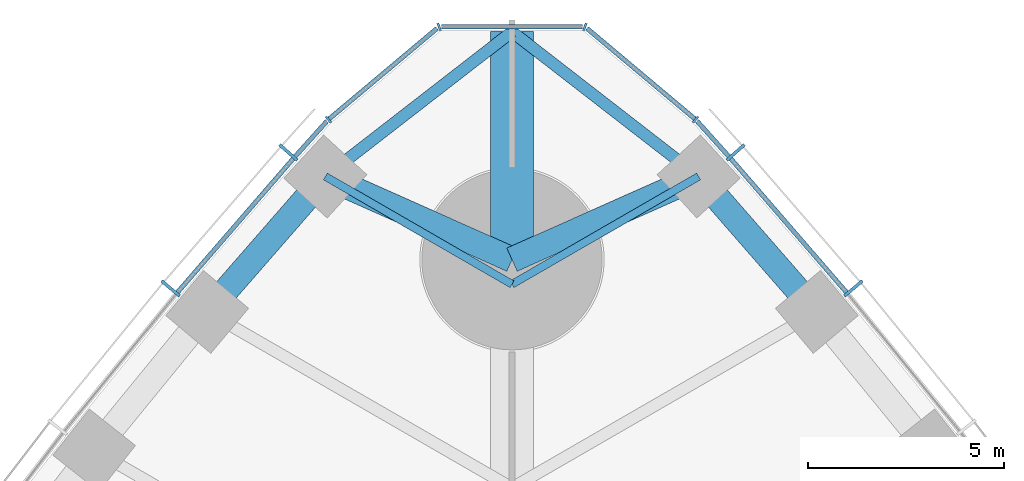
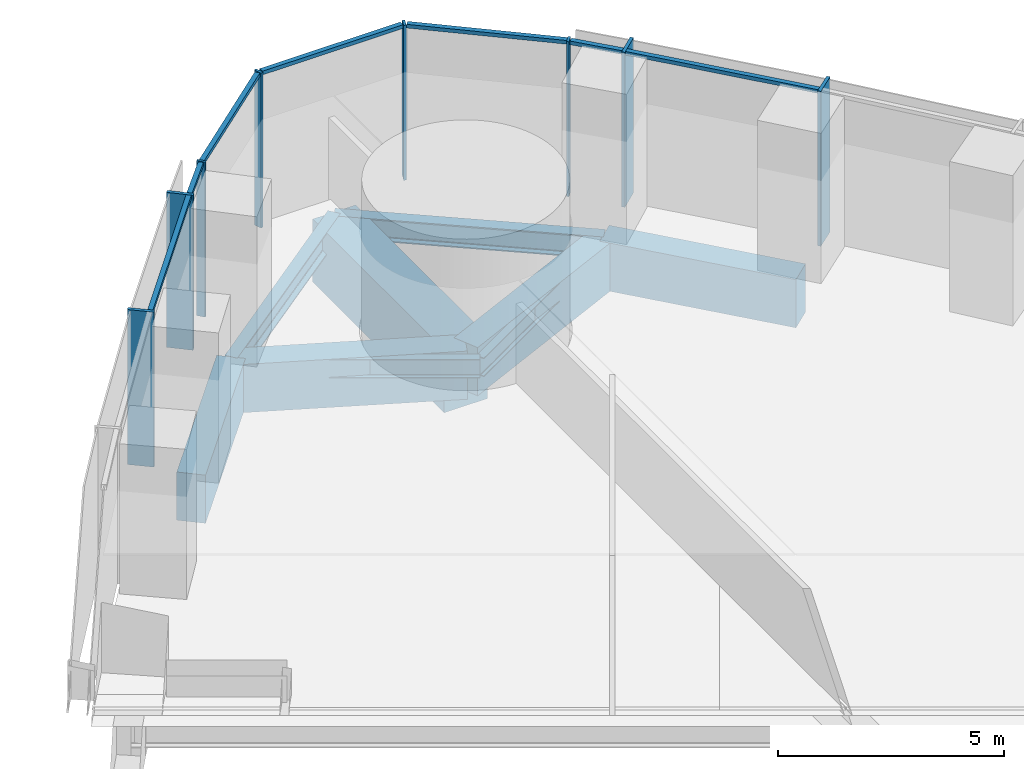
# One storey, part 7 of 18: 15 members, 9 beams, 3 elements without a shape of their own.
"""IFC4 building model written with IfcOpenShell, lengths in metres."""

import ifcopenshell
import ifcopenshell.guid

model = None  # the IFC model being written
_history = None  # IfcOwnerHistory: only IFC2X3 demands one
_inside = {}  # id of a spatial element -> (the spatial element, [elements in it])
_under = {}  # id of a project, library or spatial element -> (it, [spatial elements below it])
_declared = {}  # id of a project -> (the project, [libraries it declares])
_typed = {}  # id of a type object -> (the type object, [elements of that type])
_made_of = {}  # id of a material, layer set ... -> (it, [elements and type objects made of it])


def new_model(schema):
    """Start an empty IFC model of exactly this schema.

    Asked for "IFC4X3", IfcOpenShell would pick the latest addendum, in which some entities
    have other attributes; the version numbers below select the first issue.
    IFC2X3 requires an IfcOwnerHistory on every rooted entity: one is made here for all.
    """
    global model, _history
    if schema == "IFC4X3":
        model = ifcopenshell.file(schema_version=(4, 3, 0, 0))
    else:
        model = ifcopenshell.file(schema=schema)
    _inside.clear()
    _under.clear()
    _declared.clear()
    _typed.clear()
    _made_of.clear()
    _history = None
    if model.schema == "IFC2X3":
        org = make("IfcOrganization", Name="unknown")
        user = make(
            "IfcPersonAndOrganization",
            ThePerson=make("IfcPerson", FamilyName="unknown"),
            TheOrganization=org,
        )
        app = make(
            "IfcApplication",
            ApplicationDeveloper=org,
            Version="unknown",
            ApplicationFullName="unknown",
            ApplicationIdentifier="unknown",
        )
        _history = make(
            "IfcOwnerHistory",
            OwningUser=user,
            OwningApplication=app,
            ChangeAction="ADDED",
            CreationDate=0,
        )
    return model


def make(cls, **values):
    """One entity of the class cls with the attributes given. An attribute that is None is left unset."""
    return model.create_entity(
        cls, **{name: value for name, value in values.items() if value is not None}
    )


def rooted(cls, **values):
    """An entity with a GlobalId (a new one), such as an element, a storey or a relation."""
    return make(cls, GlobalId=ifcopenshell.guid.new(), OwnerHistory=_history, **values)


def si_unit(unit_type, name, prefix=None):
    """IfcSIUnit, for example si_unit("LENGTHUNIT", "METRE", prefix="MILLI")."""
    return make("IfcSIUnit", UnitType=unit_type, Prefix=prefix, Name=name)


def assignment(units):
    """IfcUnitAssignment: the units of a project."""
    return None if units is None else make("IfcUnitAssignment", Units=units)


def point(xyz):
    """IfcCartesianPoint."""
    return None if xyz is None else make("IfcCartesianPoint", Coordinates=xyz)


def direction(xyz):
    """IfcDirection."""
    return None if xyz is None else make("IfcDirection", DirectionRatios=xyz)


def frame(location, z_axis=None, x_axis=None):
    """IfcAxis2Placement3D, a coordinate frame: its origin and axes. An axis left out is left unset."""
    return make(
        "IfcAxis2Placement3D",
        Location=point(location),
        Axis=direction(z_axis),
        RefDirection=direction(x_axis),
    )


def frame_2d(location, x_axis=None):
    """IfcAxis2Placement2D, a coordinate frame in the plane: its origin and x axis."""
    return make(
        "IfcAxis2Placement2D", Location=point(location), RefDirection=direction(x_axis)
    )


def origin():
    """The frame at (0, 0, 0) with its axes left unset."""
    return frame((0.0, 0.0, 0.0))


def origin_2d():
    """The frame at (0, 0) in the plane with its x axis left unset."""
    return frame_2d((0.0, 0.0))


def place(relative_to, where):
    """IfcLocalPlacement: puts the frame where relative to a parent placement (None: the world)."""
    return make(
        "IfcLocalPlacement", PlacementRelTo=relative_to, RelativePlacement=where
    )


def context(
    kind, dimensions, precision=None, world=None, true_north=None, identifier=None
):
    """IfcGeometricRepresentationContext, for example the 3D "Model" context."""
    return make(
        "IfcGeometricRepresentationContext",
        ContextIdentifier=identifier,
        ContextType=kind,
        CoordinateSpaceDimension=dimensions,
        Precision=precision,
        WorldCoordinateSystem=world,
        TrueNorth=true_north,
    )


def subcontext(parent, identifier, kind, view, scale=None):
    """IfcGeometricRepresentationSubContext, for example "Body" below "Model"."""
    return make(
        "IfcGeometricRepresentationSubContext",
        ContextIdentifier=identifier,
        ContextType=kind,
        ParentContext=parent,
        TargetScale=scale,
        TargetView=view,
    )


def project(units=None, contexts=None):
    """IfcProject with its units and contexts."""
    return rooted(
        "IfcProject",
        Name="project",
        RepresentationContexts=contexts,
        UnitsInContext=assignment(units),
    )


def spatial(cls, under=None, at=None, **own):
    """A site, building, storey or space (cls), placed at a placement, below another one or the project."""
    s = rooted(cls, ObjectPlacement=at, **own)
    if under is not None:
        _under.setdefault(under.id(), (under, []))[1].append(s)
    return s


def profile(cls, at=None, kind="AREA", **sizes):
    """A parametric profile (cls). Its sizes go by their IFC names, for example OverallWidth=200.0."""
    return make(cls, ProfileType=kind, Position=at, **sizes)


def rectangle(**sizes):
    """IfcRectangleProfileDef."""
    return profile("IfcRectangleProfileDef", **sizes)


def i_section(**sizes):
    """IfcIShapeProfileDef."""
    return profile("IfcIShapeProfileDef", **sizes)


def extrude(swept, where, along, depth):
    """IfcExtrudedAreaSolid: the profile swept, set in the frame where, extruded along a direction by depth."""
    return make(
        "IfcExtrudedAreaSolid",
        SweptArea=swept,
        Position=where,
        ExtrudedDirection=direction(along),
        Depth=depth,
    )


def shape(context_of_items, identifier, shape_type, items):
    """IfcShapeRepresentation: the items that make up one representation, for example the "Body"."""
    return make(
        "IfcShapeRepresentation",
        ContextOfItems=context_of_items,
        RepresentationIdentifier=identifier,
        RepresentationType=shape_type,
        Items=items,
    )


def material(Name=None, Category=None):
    """IfcMaterial."""
    return make("IfcMaterial", Name=Name, Category=Category)


def material_profile(
    of_material, cross_section, Name=None, Category=None, Priority=None
):
    """IfcMaterialProfile: a cross section and its material."""
    return make(
        "IfcMaterialProfile",
        Name=Name,
        Material=of_material,
        Profile=cross_section,
        Priority=Priority,
        Category=Category,
    )


def profile_set(profiles, Name=None, composite=None):
    """IfcMaterialProfileSet."""
    return make(
        "IfcMaterialProfileSet",
        Name=Name,
        MaterialProfiles=profiles,
        CompositeProfile=composite,
    )


def made_of(thing, what):
    """Note that an element or type object is made of a material, layer set ...; save() writes the relation."""
    if what is not None:
        _made_of.setdefault(what.id(), (what, []))[1].append(thing)
    return thing


def type_object(cls, material=None, **own):
    """A type object (cls), such as IfcWallType, which elements share."""
    return made_of(rooted(cls, **own), material)


def element(
    cls,
    number,
    at=None,
    inside=None,
    cuts=None,
    type_object=None,
    material=None,
    context=None,
    identifier="Body",
    shape_type=None,
    held_by="IfcProductDefinitionShape",
    body=None,
    shapes=None,
    **own,
):
    """One element of the class cls, such as IfcWall. Its Tag is "e" and its number.

    at: its placement. inside: the storey or other place that contains it. cuts: it is an
    opening in that element (IfcRelVoidsElement). A single representation is given by context,
    identifier, shape_type and body (its items); several are given by shapes. held_by: the class
    of the entity that holds the representations. save() writes the other relations.
    """
    e = rooted(cls, Tag="e%d" % number, ObjectPlacement=at, **own)
    if body is not None:
        shapes = [shape(context, identifier, shape_type, body)]
    if shapes is not None:
        e.Representation = make(held_by, Representations=shapes)
    if inside is not None:
        _inside.setdefault(inside.id(), (inside, []))[1].append(e)
    if cuts is not None:
        rooted(
            "IfcRelVoidsElement", RelatingBuildingElement=cuts, RelatedOpeningElement=e
        )
    if type_object is not None:
        _typed.setdefault(type_object.id(), (type_object, []))[1].append(e)
    return made_of(e, material)


def aggregate(whole, parts):
    """IfcRelAggregates: a whole, such as a stair, and the parts it consists of."""
    return rooted("IfcRelAggregates", RelatingObject=whole, RelatedObjects=parts)


def save(model, path):
    """Write the relations noted so far, then the file.

    IfcRelAggregates (storeys below a building ...), IfcRelContainedInSpatialStructure (elements
    in a storey), IfcRelDefinesByType, IfcRelAssociatesMaterial and IfcRelDeclares: one each for
    every whole, place, type object, material and project.
    """
    for whole, parts in _under.values():
        aggregate(whole, parts)
    for where, things in _inside.values():
        rooted(
            "IfcRelContainedInSpatialStructure",
            RelatedElements=things,
            RelatingStructure=where,
        )
    for kind, things in _typed.values():
        rooted("IfcRelDefinesByType", RelatedObjects=things, RelatingType=kind)
    for what, things in _made_of.values():
        rooted("IfcRelAssociatesMaterial", RelatedObjects=things, RelatingMaterial=what)
    for by, libraries in _declared.values():
        rooted("IfcRelDeclares", RelatingContext=by, RelatedDefinitions=libraries)
    model.write(path)


model = new_model("IFC4")

# Units and contexts
model_context = context("Model", 3, precision=1e-05, world=origin(), true_north=direction((0.0, 1.0)))
body_context = subcontext(model_context, "Body", "Model", "MODEL_VIEW")
ifc_project = project(units=[si_unit("LENGTHUNIT", "METRE"), si_unit("AREAUNIT", "SQUARE_METRE"), si_unit("VOLUMEUNIT", "CUBIC_METRE"), si_unit("PLANEANGLEUNIT", "RADIAN"), si_unit("MASSUNIT", "GRAM", prefix="KILO")], contexts=[model_context])

# Site, building, storey
site_placement = place(None, origin())
site = spatial("IfcSite", under=ifc_project, at=site_placement, CompositionType="ELEMENT")
building_placement = place(site_placement, origin())
building = spatial("IfcBuilding", under=site, at=building_placement, Name="Trefoil Bronze Tower", CompositionType="ELEMENT")
storey_placement = place(building_placement, frame((0.0, 0.0, 50.10009765625)))
storey = spatial("IfcBuildingStorey", under=building, at=storey_placement, Name="L11", CompositionType="ELEMENT", Elevation=50.10009765625)

# Curtain wall, members
ifc_material_1 = material(Name="Tinted solar-control glass", Category="glass")
curtain_wall_type_1 = type_object("IfcCurtainWallType", Name="Bronze office curtain wall", PredefinedType="USERDEFINED", material=ifc_material_1)
curtain_wall_1_placement = place(storey_placement, origin())
curtain_wall_1 = element("IfcCurtainWall", 1, at=curtain_wall_1_placement, inside=storey, type_object=curtain_wall_type_1, Name="CW-A L11 F2", ObjectType="CURTAIN WALL", PredefinedType="USERDEFINED")
ifc_material_2 = material(Name="Bronze-finish aluminium", Category="aluminium")
ifc_material_profile_1 = material_profile(ifc_material_2, rectangle(XDim=0.60009765625, YDim=0.080078125, at=origin_2d()), Name="CW-A mullion")
ifc_profile_set_1 = profile_set([ifc_material_profile_1], Name="Bronze-finish aluminium")
member_type_1 = type_object("IfcMemberType", Name="Bronze office curtain wall mullion", PredefinedType="MULLION", material=ifc_profile_set_1)
member_1_placement = place(storey_placement, frame((8.709716796875, 36.265869140625, 0.0), z_axis=(0.0, 0.0, 1.0), x_axis=(-0.765729101889, -0.643163231629, 0.0)))
member_1 = element("IfcMember", 2, at=member_1_placement, type_object=member_type_1, Name="CW-A L11 F2 mullion 15", PredefinedType="MULLION", context=body_context, shape_type="SweptSolid", body=[
    extrude(rectangle(XDim=0.60009765625, YDim=0.080078125, at=origin_2d()), origin(), (0.0, 0.0, 1.0), 4.179931640625),
])
member_2_placement = place(storey_placement, frame((5.70654296875, 39.736328125, 0.0), z_axis=(0.0, 0.0, 1.0), x_axis=(-0.7499405861, -0.661505190698, 0.0)))
member_2 = element("IfcMember", 3, at=member_2_placement, type_object=member_type_1, Name="CW-A L11 F2 mullion 16", PredefinedType="MULLION", context=body_context, shape_type="SweptSolid", body=[
    extrude(rectangle(XDim=0.60009765625, YDim=0.080078125, at=origin_2d()), origin(), (0.0, 0.0, 1.0), 4.179931640625),
])

curtain_wall_2_placement = place(storey_placement, origin())
curtain_wall_2 = element("IfcCurtainWall", 4, at=curtain_wall_2_placement, inside=storey, type_object=curtain_wall_type_1, Name="CW-A L11 F3", ObjectType="CURTAIN WALL", PredefinedType="USERDEFINED")
member_3_placement = place(storey_placement, frame((-5.70654296875, 39.736328125, 0.0), z_axis=(0.0, 0.0, 1.0), x_axis=(0.7499405861, -0.661505190698, 0.0)))
member_3 = element("IfcMember", 5, at=member_3_placement, type_object=member_type_1, Name="CW-A L11 F3 mullion 2", PredefinedType="MULLION", context=body_context, shape_type="SweptSolid", body=[
    extrude(rectangle(XDim=0.60009765625, YDim=0.080078125, at=origin_2d()), origin(), (0.0, 0.0, 1.0), 4.179931640625),
])
member_4_placement = place(storey_placement, frame((-8.709716796875, 36.265869140625, 0.0), z_axis=(0.0, 0.0, 1.0), x_axis=(0.765729101889, -0.643163231629, 0.0)))
member_4 = element("IfcMember", 6, at=member_4_placement, type_object=member_type_1, Name="CW-A L11 F3 mullion 3", PredefinedType="MULLION", context=body_context, shape_type="SweptSolid", body=[
    extrude(rectangle(XDim=0.60009765625, YDim=0.080078125, at=origin_2d()), origin(), (0.0, 0.0, 1.0), 4.179931640625),
])

# Member
ifc_material_3 = material(Name="Bronze-finish aluminium", Category="aluminium")
ifc_material_profile_2 = material_profile(ifc_material_3, rectangle(XDim=0.1201171875, YDim=0.10009765625, at=origin_2d()), Name="CW-A transom")
ifc_profile_set_2 = profile_set([ifc_material_profile_2], Name="Bronze-finish aluminium")
member_type_2 = type_object("IfcMemberType", Name="Bronze office curtain wall transom", PredefinedType="USERDEFINED", material=ifc_profile_set_2)
member_5_placement = place(storey_placement, frame((8.529541015625, 36.16845703125, 4.1298828125), z_axis=(-0.654383303203, 0.75616300656, 0.0), x_axis=(-0.75616300656, -0.654383303203, 0.0)))
member_5 = element("IfcMember", 7, at=member_5_placement, type_object=member_type_2, Name="CW-A L11 F2 transom 15", ObjectType="TRANSOM", PredefinedType="USERDEFINED", context=body_context, shape_type="SweptSolid", body=[
    extrude(rectangle(XDim=0.1201171875, YDim=0.10009765625, at=origin_2d()), origin(), (0.0, 0.0, 1.0), 4.50244140625),
])

member_6_placement = place(storey_placement, frame((5.529052734375, 39.634521484375, 4.1298828125), z_axis=(-0.66858567461, 0.743635122695, 0.0), x_axis=(-0.743635122695, -0.66858567461, 0.0)))
member_6 = element("IfcMember", 8, at=member_6_placement, type_object=member_type_2, Name="CW-A L11 F2 transom 16", ObjectType="TRANSOM", PredefinedType="USERDEFINED", context=body_context, shape_type="SweptSolid", body=[
    extrude(rectangle(XDim=0.1201171875, YDim=0.10009765625, at=origin_2d()), origin(), (0.0, 0.0, 1.0), 1.210205078125),
])

aggregate(curtain_wall_1, [member_1, member_2, member_5, member_6])

member_7_placement = place(storey_placement, frame((-4.719970703125, 40.534423828125, 4.1298828125), z_axis=(-0.66858567461, -0.743635122695, 0.0), x_axis=(0.743635122695, -0.66858567461, 0.0)))
member_7 = element("IfcMember", 9, at=member_7_placement, type_object=member_type_2, Name="CW-A L11 F3 transom 1", ObjectType="TRANSOM", PredefinedType="USERDEFINED", context=body_context, shape_type="SweptSolid", body=[
    extrude(rectangle(XDim=0.1201171875, YDim=0.10009765625, at=origin_2d()), origin(), (0.0, 0.0, 1.0), 1.210205078125),
])

member_8_placement = place(storey_placement, frame((-5.583251953125, 39.572998046875, 4.1298828125), z_axis=(-0.654383303203, -0.75616300656, 0.0), x_axis=(0.75616300656, -0.654383303203, 0.0)))
member_8 = element("IfcMember", 10, at=member_8_placement, type_object=member_type_2, Name="CW-A L11 F3 transom 2", ObjectType="TRANSOM", PredefinedType="USERDEFINED", context=body_context, shape_type="SweptSolid", body=[
    extrude(rectangle(XDim=0.1201171875, YDim=0.10009765625, at=origin_2d()), origin(), (0.0, 0.0, 1.0), 4.50244140625),
])

aggregate(curtain_wall_2, [member_3, member_4, member_7, member_8])

# Curtain wall, members
ifc_material_4 = material(Name="Tinted solar-control glass", Category="glass")
curtain_wall_type_2 = type_object("IfcCurtainWallType", Name="Bronze rounded corner curtain wall", PredefinedType="USERDEFINED", material=ifc_material_4)
curtain_wall_3_placement = place(storey_placement, origin())
curtain_wall_3 = element("IfcCurtainWall", 11, at=curtain_wall_3_placement, inside=storey, type_object=curtain_wall_type_2, Name="CW-B L11 K2", ObjectType="CURTAIN WALL", PredefinedType="USERDEFINED")
ifc_material_5 = material(Name="Bronze-finish aluminium", Category="aluminium")
ifc_material_profile_3 = material_profile(ifc_material_5, rectangle(XDim=0.199951171875, YDim=0.06005859375, at=origin_2d()), Name="CW-B mullion")
ifc_profile_set_3 = profile_set([ifc_material_profile_3], Name="Bronze-finish aluminium")
member_type_3 = type_object("IfcMemberType", Name="Bronze rounded corner curtain wall mullion", PredefinedType="MULLION", material=ifc_profile_set_3)
member_9_placement = place(storey_placement, frame((4.68310546875, 40.573974609375, 0.0), z_axis=(0.0, 0.0, 1.0), x_axis=(-0.642787609687, -0.766044443119, 0.0)))
member_9 = element("IfcMember", 12, at=member_9_placement, type_object=member_type_3, Name="CW-B L11 K2 mullion 1", PredefinedType="MULLION", context=body_context, shape_type="SweptSolid", body=[
    extrude(rectangle(XDim=0.199951171875, YDim=0.06005859375, at=origin_2d()), origin(), (0.0, 0.0, 1.0), 4.179931640625),
])
member_10_placement = place(storey_placement, frame((1.8583984375, 42.9365234375, 0.0), z_axis=(0.0, 0.0, 1.0), x_axis=(-0.342020143326, -0.939692620786, 0.0)))
member_10 = element("IfcMember", 13, at=member_10_placement, type_object=member_type_3, Name="CW-B L11 K2 mullion 2", PredefinedType="MULLION", context=body_context, shape_type="SweptSolid", body=[
    extrude(rectangle(XDim=0.199951171875, YDim=0.06005859375, at=origin_2d()), origin(), (0.0, 0.0, 1.0), 4.179931640625),
])
member_11_placement = place(storey_placement, frame((-1.8583984375, 42.9365234375, 0.0), z_axis=(0.0, 0.0, 1.0), x_axis=(0.342020143326, -0.939692620786, 0.0)))
member_11 = element("IfcMember", 14, at=member_11_placement, type_object=member_type_3, Name="CW-B L11 K2 mullion 3", PredefinedType="MULLION", context=body_context, shape_type="SweptSolid", body=[
    extrude(rectangle(XDim=0.199951171875, YDim=0.06005859375, at=origin_2d()), origin(), (0.0, 0.0, 1.0), 4.179931640625),
])
member_12_placement = place(storey_placement, frame((-4.68310546875, 40.573974609375, 0.0), z_axis=(0.0, 0.0, 1.0), x_axis=(0.642787609687, -0.766044443119, 0.0)))
member_12 = element("IfcMember", 15, at=member_12_placement, type_object=member_type_3, Name="CW-B L11 K2 mullion 4", PredefinedType="MULLION", context=body_context, shape_type="SweptSolid", body=[
    extrude(rectangle(XDim=0.199951171875, YDim=0.06005859375, at=origin_2d()), origin(), (0.0, 0.0, 1.0), 4.179931640625),
])
ifc_material_6 = material(Name="Bronze-finish aluminium", Category="aluminium")
ifc_material_profile_4 = material_profile(ifc_material_6, rectangle(XDim=0.1201171875, YDim=0.10009765625, at=origin_2d()), Name="CW-B transom")
ifc_profile_set_4 = profile_set([ifc_material_profile_4], Name="Bronze-finish aluminium")
member_type_4 = type_object("IfcMemberType", Name="Bronze rounded corner curtain wall transom", PredefinedType="USERDEFINED", material=ifc_profile_set_4)
member_13_placement = place(storey_placement, frame((4.66015625, 40.59326171875, 4.1298828125), z_axis=(-0.766058606238, 0.642770730361, 0.0), x_axis=(-0.642770730361, -0.766058606238, 0.0)))
member_13 = element("IfcMember", 16, at=member_13_placement, type_object=member_type_4, Name="CW-B L11 K2 transom 1", ObjectType="TRANSOM", PredefinedType="USERDEFINED", context=body_context, shape_type="SweptSolid", body=[
    extrude(rectangle(XDim=0.1201171875, YDim=0.10009765625, at=origin_2d()), origin(), (0.0, 0.0, 1.0), 3.588134765625),
])
member_14_placement = place(storey_placement, frame((1.794189453125, 42.9423828125, 4.1298828125), z_axis=(-1.0, 0.0, 0.0), x_axis=(0.0, -1.0, 0.0)))
member_14 = element("IfcMember", 17, at=member_14_placement, type_object=member_type_4, Name="CW-B L11 K2 transom 2", ObjectType="TRANSOM", PredefinedType="USERDEFINED", context=body_context, shape_type="SweptSolid", body=[
    extrude(rectangle(XDim=0.1201171875, YDim=0.10009765625, at=origin_2d()), origin(), (0.0, 0.0, 1.0), 3.58837890625),
])
member_15_placement = place(storey_placement, frame((-1.911376953125, 42.899658203125, 4.1298828125), z_axis=(-0.766058606238, -0.642770730361, 0.0), x_axis=(0.642770730361, -0.766058606238, 0.0)))
member_15 = element("IfcMember", 18, at=member_15_placement, type_object=member_type_4, Name="CW-B L11 K2 transom 3", ObjectType="TRANSOM", PredefinedType="USERDEFINED", context=body_context, shape_type="SweptSolid", body=[
    extrude(rectangle(XDim=0.1201171875, YDim=0.10009765625, at=origin_2d()), origin(), (0.0, 0.0, 1.0), 3.588134765625),
])
aggregate(curtain_wall_3, [member_9, member_10, member_11, member_12, member_13, member_14, member_15])

# Beams
ifc_material_7 = material(Name="Concrete B80", Category="concrete")
ifc_material_profile_5 = material_profile(ifc_material_7, rectangle(XDim=1.10009765625, YDim=1.699951171875, at=origin_2d()), Name="RC 1100x1700")
ifc_profile_set_5 = profile_set([ifc_material_profile_5], Name="Concrete B80")
beam_type_1 = type_object("IfcBeamType", Name="Corner cantilever RC 1100x1700", PredefinedType="BEAM", material=ifc_profile_set_5)
beam_placement = place(storey_placement, frame((0.0, 37.0, -1.050048828125), z_axis=(0.0, 1.0, 0.0), x_axis=(-1.0, 0.0, 0.0)))
element("IfcBeam", 19, at=beam_placement, inside=storey, type_object=beam_type_1, Name="Corner cantilever K2 L11", PredefinedType="BEAM", context=body_context, shape_type="SweptSolid", body=[
    extrude(rectangle(XDim=1.10009765625, YDim=1.699951171875, at=origin_2d()), origin(), (0.0, 0.0, 1.0), 5.814208984375),
])
ifc_material_8 = material(Name="Steel C355", Category="steel")
ifc_material_profile_6 = material_profile(ifc_material_8, i_section(OverallWidth=0.300048828125, OverallDepth=0.60009765625, WebThickness=0.015380859375, FlangeThickness=0.030029296875, FilletRadius=0.027099609375, at=origin_2d()), Name="HEB 600")
ifc_profile_set_6 = profile_set([ifc_material_profile_6], Name="Steel C355")
beam_type_2 = type_object("IfcBeamType", Name="Corner edge beam HEB 600", PredefinedType="BEAM", material=ifc_profile_set_6)
for number, where, z_axis, x_axis, name in (
    (20, (4.76171875, 39.122314453125, -0.5), (-0.790289474622, 0.612733666696, 0.0), (-0.612733666696, -0.790289474622, 0.0), "Corner edge beam F2A L11"),
    (21, (-4.76171875, 39.122314453125, -0.5), (0.790289474622, 0.612733666696, 0.0), (-0.612733666696, 0.790289474622, 0.0), "Corner edge beam F3B L11"),
):
    element("IfcBeam", number, at=place(storey_placement, frame(where, z_axis=z_axis, x_axis=x_axis)), inside=storey, type_object=beam_type_2, Name=name, PredefinedType="BEAM", context=body_context, shape_type="SweptSolid", body=[
        extrude(i_section(OverallWidth=0.300048828125, OverallDepth=0.60009765625, WebThickness=0.015380859375, FlangeThickness=0.030029296875, FilletRadius=0.027099609375, at=origin_2d()), origin(), (0.0, 0.0, 1.0), 6.025390625),
    ])
ifc_material_9 = material(Name="Concrete B80", Category="concrete")
ifc_material_profile_7 = material_profile(ifc_material_9, rectangle(XDim=0.64990234375, YDim=1.300048828125, at=origin_2d()), Name="RC 650x1300")
ifc_profile_set_7 = profile_set([ifc_material_profile_7], Name="Concrete B80")
beam_type_3 = type_object("IfcBeamType", Name="End spandrel beam RC 650x1300", PredefinedType="SPANDREL", material=ifc_profile_set_7)
for number, where, z_axis, x_axis, name in (
    (22, (4.76171875, 39.122314453125, -0.85009765625), (-0.913384257879, -0.407098510754, 0.0), (0.407098510754, -0.913384257879, 0.0), "Spandrel F2.16 L11"),
    (23, (0.0, 37.0, -0.85009765625), (-0.913384257879, 0.407098510754, 0.0), (-0.407098510754, -0.913384257879, 0.0), "Spandrel F3.1 L11"),
):
    element("IfcBeam", number, at=place(storey_placement, frame(where, z_axis=z_axis, x_axis=x_axis)), inside=storey, type_object=beam_type_3, Name=name, PredefinedType="SPANDREL", context=body_context, shape_type="SweptSolid", body=[
        extrude(rectangle(XDim=0.64990234375, YDim=1.300048828125, at=origin_2d()), origin(), (0.0, 0.0, 1.0), 5.21337890625),
    ])
ifc_material_10 = material(Name="Steel C355", Category="steel")
ifc_material_profile_8 = material_profile(ifc_material_10, i_section(OverallWidth=0.199951171875, OverallDepth=0.5, WebThickness=0.01025390625, FlangeThickness=0.01611328125, FilletRadius=0.02099609375, at=origin_2d()), Name="IPE 500")
ifc_profile_set_8 = profile_set([ifc_material_profile_8], Name="Steel C355")
beam_type_4 = type_object("IfcBeamType", Name="Floor beam IPE 500", PredefinedType="BEAM", material=ifc_profile_set_8)
for number, where, z_axis, x_axis, name in (
    (24, (4.76171875, 39.122314453125, -0.4501953125), (-0.866018475376, -0.500012000164, 0.0), (0.500012000164, -0.866018475376, 0.0), "Floor beam F2/+7 L11"),
    (25, (-4.76171875, 39.122314453125, -0.4501953125), (0.866018475376, -0.500012000164, 0.0), (0.500012000164, 0.866018475376, 0.0), "Floor beam F3/-7 L11"),
):
    element("IfcBeam", number, at=place(storey_placement, frame(where, z_axis=z_axis, x_axis=x_axis)), inside=storey, type_object=beam_type_4, Name=name, PredefinedType="BEAM", context=body_context, shape_type="SweptSolid", body=[
        extrude(i_section(OverallWidth=0.199951171875, OverallDepth=0.5, WebThickness=0.01025390625, FlangeThickness=0.01611328125, FilletRadius=0.02099609375, at=origin_2d()), origin(), (0.0, 0.0, 1.0), 5.498291015625),
    ])
ifc_material_11 = material(Name="Concrete B80", Category="concrete")
ifc_material_profile_9 = material_profile(ifc_material_11, rectangle(XDim=0.64990234375, YDim=1.300048828125, at=origin_2d()), Name="RC 650x1300")
ifc_profile_set_9 = profile_set([ifc_material_profile_9], Name="Concrete B80")
beam_type_5 = type_object("IfcBeamType", Name="Spandrel beam RC 650x1300", PredefinedType="SPANDREL", material=ifc_profile_set_9)
for number, where, z_axis, x_axis, name in (
    (26, (7.7763671875, 35.666748046875, -0.85009765625), (-0.657395767989, 0.753545489158, 0.0), (-0.753545489158, -0.657395767989, 0.0), "Spandrel F2.15 L11"),
    (27, (-4.76171875, 39.122314453125, -0.85009765625), (-0.657395767989, -0.753545489158, 0.0), (0.753545489158, -0.657395767989, 0.0), "Spandrel F3.2 L11"),
):
    element("IfcBeam", number, at=place(storey_placement, frame(where, z_axis=z_axis, x_axis=x_axis)), inside=storey, type_object=beam_type_5, Name=name, PredefinedType="SPANDREL", context=body_context, shape_type="SweptSolid", body=[
        extrude(rectangle(XDim=0.64990234375, YDim=1.300048828125, at=origin_2d()), origin(), (0.0, 0.0, 1.0), 4.585693359375),
    ])

save(model, "model.ifc")
